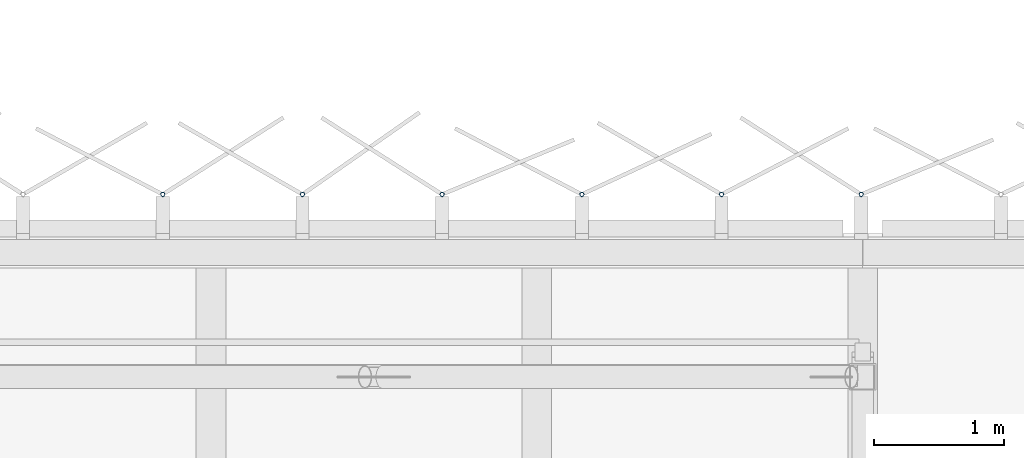
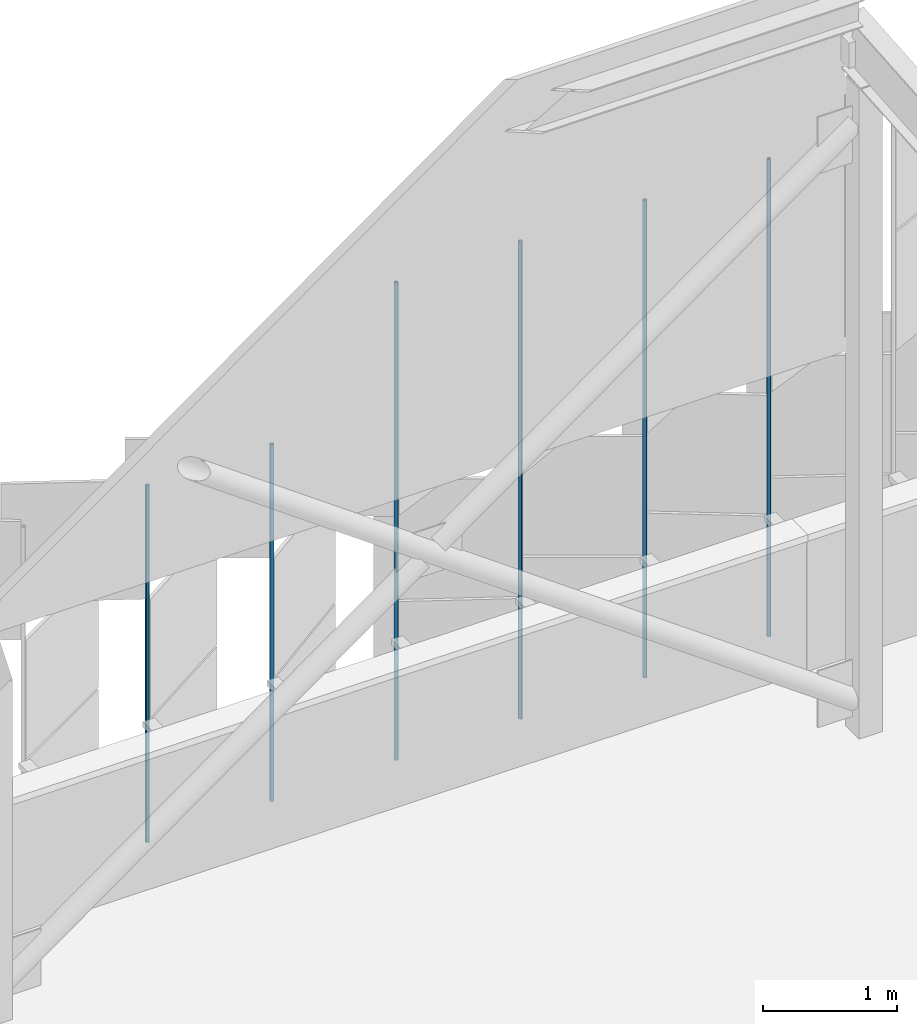
# One storey, part 338 of 483: 6 discrete accessories.
"""IFC4 building model written with IfcOpenShell, lengths in metres."""

from ifc_helpers import new_model, si_unit, direction, frame, origin, origin_2d, place, context, subcontext, project, spatial, hollow_circle, extrude, material, material_profile, profile_set, type_object, element, save


model = new_model("IFC4")

# Units and contexts
model_context = context("Model", 3, precision=1e-05, world=origin(), true_north=direction((0.0, 1.0)))
body_context = subcontext(model_context, "Body", "Model", "MODEL_VIEW")
ifc_project = project(units=[si_unit("LENGTHUNIT", "METRE"), si_unit("AREAUNIT", "SQUARE_METRE"), si_unit("VOLUMEUNIT", "CUBIC_METRE"), si_unit("PLANEANGLEUNIT", "RADIAN"), si_unit("MASSUNIT", "GRAM", prefix="KILO")], contexts=[model_context])

# Site, building, storey
site_placement = place(None, origin())
site = spatial("IfcSite", under=ifc_project, at=site_placement, CompositionType="ELEMENT")
building_placement = place(site_placement, origin())
building = spatial("IfcBuilding", under=site, at=building_placement, Name="Parallax Yard Mobility Hub", CompositionType="ELEMENT")
storey_placement = place(building_placement, frame((0.0, 0.0, 13.199951171875)))
storey = spatial("IfcBuildingStorey", under=building, at=storey_placement, Name="L04", CompositionType="ELEMENT", Elevation=13.199951171875)

# Discrete accessories
ifc_material = material(Name="Steel ASTM A500 Gr C, hot-dip galvanised", Category="steel")
ifc_material_profile = material_profile(ifc_material, hollow_circle(Radius=0.016845703125, WallThickness=0.003173828125, at=origin_2d()), Name="CHS 33.7x3.2")
ifc_profile_set = profile_set([ifc_material_profile], Name="Steel ASTM A500 Gr C, hot-dip galvanised")
discrete_accessory_type = type_object("IfcDiscreteAccessoryType", Name="Hinge post CHS 33.7x3.2", PredefinedType="BRACKET", material=ifc_profile_set)
for number, where, z_axis, x_axis, name in (
    (1, (59.988525390625, 142.800048828125, 0.0), (0.0, 0.0, 1.0), (1.0, 0.0, 0.0), "Hinge post bay 66.1 level L04"),
    (2, (58.9169921875, 142.800048828125, 0.0), (0.0, 0.0, 1.0), (1.0, 0.0, 0.0), "Hinge post bay 66.2 level L04"),
    (3, (57.845458984375, 142.800048828125, 0.0), (0.0, 0.0, 1.0), (1.0, 0.0, 0.0), "Hinge post bay 66.3 level L04"),
    (4, (56.77392578125, 142.800048828125, 0.0), (0.0, 0.0, 1.0), (1.0, 0.0, 0.0), "Hinge post bay 66.4 level L04"),
):
    element("IfcDiscreteAccessory", number, at=place(storey_placement, frame(where, z_axis=z_axis, x_axis=x_axis)), inside=storey, type_object=discrete_accessory_type, Name=name, PredefinedType="BRACKET", context=body_context, shape_type="SweptSolid", body=[
        extrude(hollow_circle(Radius=0.016845703125, WallThickness=0.003173828125, at=origin_2d()), origin(), (0.0, 0.0, 1.0), 4.35009765625),
    ])
for number, where, z_axis, x_axis, name in (
    (5, (55.702392578125, 142.800048828125, 0.0), (0.0, 0.0, 1.0), (1.0, 0.0, 0.0), "Hinge post bay 66.5 level L04"),
    (6, (54.630859375, 142.800048828125, 0.0), (0.0, 0.0, 1.0), (1.0, 0.0, 0.0), "Hinge post bay 66.6 level L04"),
):
    element("IfcDiscreteAccessory", number, at=place(storey_placement, frame(where, z_axis=z_axis, x_axis=x_axis)), inside=storey, type_object=discrete_accessory_type, Name=name, PredefinedType="BRACKET", context=body_context, shape_type="SweptSolid", body=[
        extrude(hollow_circle(Radius=0.016845703125, WallThickness=0.003173828125, at=origin_2d()), origin(), (0.0, 0.0, 1.0), 3.25),
    ])

save(model, "model.ifc")
